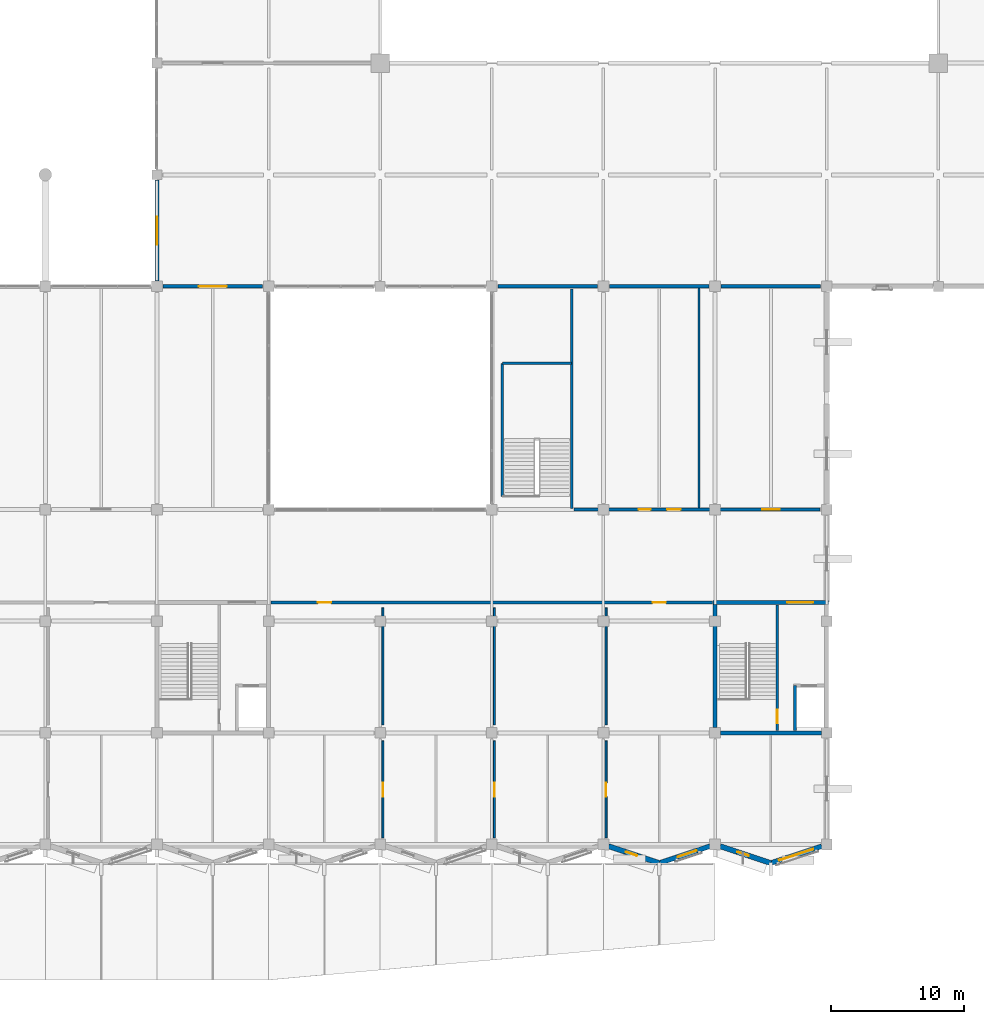
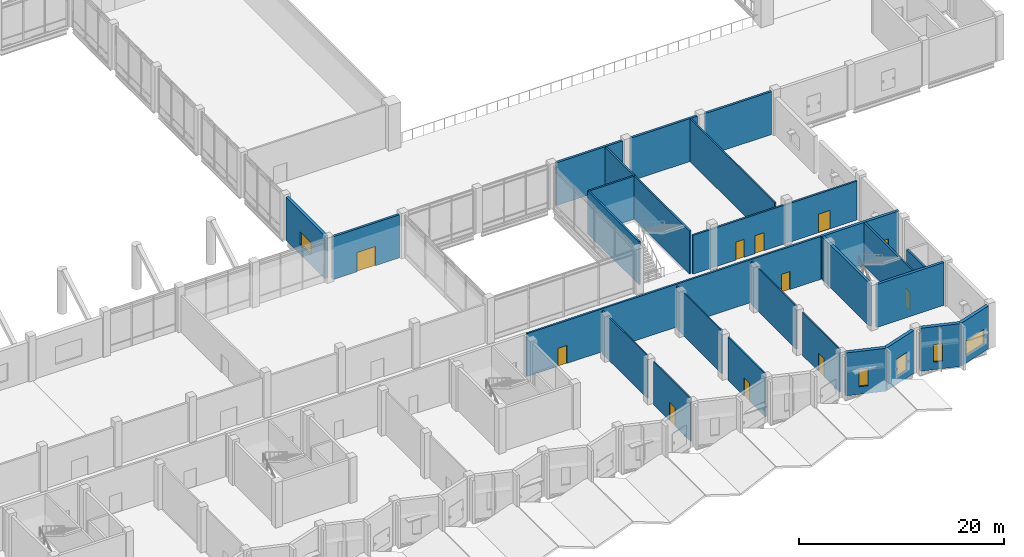
# One storey, part 57 of 72: 26 walls, 11 doors, 5 windows, 16 openings.
"""IFC4 building model written with IfcOpenShell, lengths in metres."""

import ifcopenshell
import ifcopenshell.guid

model = None  # the IFC model being written
_history = None  # IfcOwnerHistory: only IFC2X3 demands one
_inside = {}  # id of a spatial element -> (the spatial element, [elements in it])
_under = {}  # id of a project, library or spatial element -> (it, [spatial elements below it])
_declared = {}  # id of a project -> (the project, [libraries it declares])
_typed = {}  # id of a type object -> (the type object, [elements of that type])
_made_of = {}  # id of a material, layer set ... -> (it, [elements and type objects made of it])


def new_model(schema):
    """Start an empty IFC model of exactly this schema.

    Asked for "IFC4X3", IfcOpenShell would pick the latest addendum, in which some entities
    have other attributes; the version numbers below select the first issue.
    IFC2X3 requires an IfcOwnerHistory on every rooted entity: one is made here for all.
    """
    global model, _history
    if schema == "IFC4X3":
        model = ifcopenshell.file(schema_version=(4, 3, 0, 0))
    else:
        model = ifcopenshell.file(schema=schema)
    _inside.clear()
    _under.clear()
    _declared.clear()
    _typed.clear()
    _made_of.clear()
    _history = None
    if model.schema == "IFC2X3":
        org = make("IfcOrganization", Name="unknown")
        user = make(
            "IfcPersonAndOrganization",
            ThePerson=make("IfcPerson", FamilyName="unknown"),
            TheOrganization=org,
        )
        app = make(
            "IfcApplication",
            ApplicationDeveloper=org,
            Version="unknown",
            ApplicationFullName="unknown",
            ApplicationIdentifier="unknown",
        )
        _history = make(
            "IfcOwnerHistory",
            OwningUser=user,
            OwningApplication=app,
            ChangeAction="ADDED",
            CreationDate=0,
        )
    return model


def make(cls, **values):
    """One entity of the class cls with the attributes given. An attribute that is None is left unset."""
    return model.create_entity(
        cls, **{name: value for name, value in values.items() if value is not None}
    )


def rooted(cls, **values):
    """An entity with a GlobalId (a new one), such as an element, a storey or a relation."""
    return make(cls, GlobalId=ifcopenshell.guid.new(), OwnerHistory=_history, **values)


def si_unit(unit_type, name, prefix=None):
    """IfcSIUnit, for example si_unit("LENGTHUNIT", "METRE", prefix="MILLI")."""
    return make("IfcSIUnit", UnitType=unit_type, Prefix=prefix, Name=name)


def assignment(units):
    """IfcUnitAssignment: the units of a project."""
    return None if units is None else make("IfcUnitAssignment", Units=units)


def point(xyz):
    """IfcCartesianPoint."""
    return None if xyz is None else make("IfcCartesianPoint", Coordinates=xyz)


def direction(xyz):
    """IfcDirection."""
    return None if xyz is None else make("IfcDirection", DirectionRatios=xyz)


def frame(location, z_axis=None, x_axis=None):
    """IfcAxis2Placement3D, a coordinate frame: its origin and axes. An axis left out is left unset."""
    return make(
        "IfcAxis2Placement3D",
        Location=point(location),
        Axis=direction(z_axis),
        RefDirection=direction(x_axis),
    )


def frame_2d(location, x_axis=None):
    """IfcAxis2Placement2D, a coordinate frame in the plane: its origin and x axis."""
    return make(
        "IfcAxis2Placement2D", Location=point(location), RefDirection=direction(x_axis)
    )


def origin():
    """The frame at (0, 0, 0) with its axes left unset."""
    return frame((0.0, 0.0, 0.0))


def place(relative_to, where):
    """IfcLocalPlacement: puts the frame where relative to a parent placement (None: the world)."""
    return make(
        "IfcLocalPlacement", PlacementRelTo=relative_to, RelativePlacement=where
    )


def context(
    kind, dimensions, precision=None, world=None, true_north=None, identifier=None
):
    """IfcGeometricRepresentationContext, for example the 3D "Model" context."""
    return make(
        "IfcGeometricRepresentationContext",
        ContextIdentifier=identifier,
        ContextType=kind,
        CoordinateSpaceDimension=dimensions,
        Precision=precision,
        WorldCoordinateSystem=world,
        TrueNorth=true_north,
    )


def subcontext(parent, identifier, kind, view, scale=None):
    """IfcGeometricRepresentationSubContext, for example "Body" below "Model"."""
    return make(
        "IfcGeometricRepresentationSubContext",
        ContextIdentifier=identifier,
        ContextType=kind,
        ParentContext=parent,
        TargetScale=scale,
        TargetView=view,
    )


def project(units=None, contexts=None):
    """IfcProject with its units and contexts."""
    return rooted(
        "IfcProject",
        Name="project",
        RepresentationContexts=contexts,
        UnitsInContext=assignment(units),
    )


def spatial(cls, under=None, at=None, **own):
    """A site, building, storey or space (cls), placed at a placement, below another one or the project."""
    s = rooted(cls, ObjectPlacement=at, **own)
    if under is not None:
        _under.setdefault(under.id(), (under, []))[1].append(s)
    return s


def profile(cls, at=None, kind="AREA", **sizes):
    """A parametric profile (cls). Its sizes go by their IFC names, for example OverallWidth=200.0."""
    return make(cls, ProfileType=kind, Position=at, **sizes)


def rectangle(**sizes):
    """IfcRectangleProfileDef."""
    return profile("IfcRectangleProfileDef", **sizes)


def extrude(swept, where, along, depth):
    """IfcExtrudedAreaSolid: the profile swept, set in the frame where, extruded along a direction by depth."""
    return make(
        "IfcExtrudedAreaSolid",
        SweptArea=swept,
        Position=where,
        ExtrudedDirection=direction(along),
        Depth=depth,
    )


def shape(context_of_items, identifier, shape_type, items):
    """IfcShapeRepresentation: the items that make up one representation, for example the "Body"."""
    return make(
        "IfcShapeRepresentation",
        ContextOfItems=context_of_items,
        RepresentationIdentifier=identifier,
        RepresentationType=shape_type,
        Items=items,
    )


def material(Name=None, Category=None):
    """IfcMaterial."""
    return make("IfcMaterial", Name=Name, Category=Category)


def layer(
    of_material, thickness, ventilated=None, Name=None, Category=None, Priority=None
):
    """IfcMaterialLayer: one layer of a wall or slab, of a material (None: an air gap)."""
    return make(
        "IfcMaterialLayer",
        Material=of_material,
        LayerThickness=thickness,
        IsVentilated=ventilated,
        Name=Name,
        Category=Category,
        Priority=Priority,
    )


def layer_set(layers, Name=None):
    """IfcMaterialLayerSet."""
    return make("IfcMaterialLayerSet", MaterialLayers=layers, LayerSetName=Name)


def made_of(thing, what):
    """Note that an element or type object is made of a material, layer set ...; save() writes the relation."""
    if what is not None:
        _made_of.setdefault(what.id(), (what, []))[1].append(thing)
    return thing


def type_object(cls, material=None, **own):
    """A type object (cls), such as IfcWallType, which elements share."""
    return made_of(rooted(cls, **own), material)


def element(
    cls,
    number,
    at=None,
    inside=None,
    cuts=None,
    type_object=None,
    material=None,
    context=None,
    identifier="Body",
    shape_type=None,
    held_by="IfcProductDefinitionShape",
    body=None,
    shapes=None,
    **own,
):
    """One element of the class cls, such as IfcWall. Its Tag is "e" and its number.

    at: its placement. inside: the storey or other place that contains it. cuts: it is an
    opening in that element (IfcRelVoidsElement). A single representation is given by context,
    identifier, shape_type and body (its items); several are given by shapes. held_by: the class
    of the entity that holds the representations. save() writes the other relations.
    """
    e = rooted(cls, Tag="e%d" % number, ObjectPlacement=at, **own)
    if body is not None:
        shapes = [shape(context, identifier, shape_type, body)]
    if shapes is not None:
        e.Representation = make(held_by, Representations=shapes)
    if inside is not None:
        _inside.setdefault(inside.id(), (inside, []))[1].append(e)
    if cuts is not None:
        rooted(
            "IfcRelVoidsElement", RelatingBuildingElement=cuts, RelatedOpeningElement=e
        )
    if type_object is not None:
        _typed.setdefault(type_object.id(), (type_object, []))[1].append(e)
    return made_of(e, material)


def fill(opening, filler):
    """IfcRelFillsElement: the door or window that sits in an opening."""
    return rooted(
        "IfcRelFillsElement",
        RelatingOpeningElement=opening,
        RelatedBuildingElement=filler,
    )


def aggregate(whole, parts):
    """IfcRelAggregates: a whole, such as a stair, and the parts it consists of."""
    return rooted("IfcRelAggregates", RelatingObject=whole, RelatedObjects=parts)


def save(model, path):
    """Write the relations noted so far, then the file.

    IfcRelAggregates (storeys below a building ...), IfcRelContainedInSpatialStructure (elements
    in a storey), IfcRelDefinesByType, IfcRelAssociatesMaterial and IfcRelDeclares: one each for
    every whole, place, type object, material and project.
    """
    for whole, parts in _under.values():
        aggregate(whole, parts)
    for where, things in _inside.values():
        rooted(
            "IfcRelContainedInSpatialStructure",
            RelatedElements=things,
            RelatingStructure=where,
        )
    for kind, things in _typed.values():
        rooted("IfcRelDefinesByType", RelatedObjects=things, RelatingType=kind)
    for what, things in _made_of.values():
        rooted("IfcRelAssociatesMaterial", RelatedObjects=things, RelatingMaterial=what)
    for by, libraries in _declared.values():
        rooted("IfcRelDeclares", RelatingContext=by, RelatedDefinitions=libraries)
    model.write(path)


model = new_model("IFC4")

# Units and contexts
model_context = context("Model", 3, precision=1e-05, world=origin(), true_north=direction((0.0, 1.0)))
body_context = subcontext(model_context, "Body", "Model", "MODEL_VIEW")
ifc_project = project(units=[si_unit("LENGTHUNIT", "METRE"), si_unit("AREAUNIT", "SQUARE_METRE"), si_unit("VOLUMEUNIT", "CUBIC_METRE"), si_unit("PLANEANGLEUNIT", "RADIAN"), si_unit("MASSUNIT", "GRAM", prefix="KILO")], contexts=[model_context])

# Site, building, storey
site_placement = place(None, origin())
site = spatial("IfcSite", under=ifc_project, at=site_placement, CompositionType="ELEMENT")
building_placement = place(site_placement, origin())
building = spatial("IfcBuilding", under=site, at=building_placement, Name="Qawsi Khor Wholesale Market", CompositionType="ELEMENT")
storey_placement = place(building_placement, frame((0.0, 0.0, 6.0)))
storey = spatial("IfcBuildingStorey", under=building, at=storey_placement, Name="L01", CompositionType="ELEMENT", Elevation=6.0)

# Walls
ifc_material_1 = material(Name="Concrete C40/50", Category="concrete")
ifc_layer_1 = layer(ifc_material_1, 0.300048828125, Name="Concrete C40/50")
ifc_layer_set_1 = layer_set([ifc_layer_1], Name="Concrete C40/50")
wall_type_1 = type_object("IfcWallType", Name="Core Shear Wall RC 300 C40/50", PredefinedType="SHEAR", material=ifc_layer_set_1)
wall_1_placement = place(storey_placement, frame((192.794921875, 8.39990234375, 0.0), z_axis=(0.0, 0.0, 1.0), x_axis=(-1.0, 0.0, 0.0)))
element("IfcWall", 1, at=wall_1_placement, inside=storey, type_object=wall_type_1, Name="Core C06 south shear wall L01", PredefinedType="SHEAR", context=body_context, shape_type="SweptSolid", body=[
    extrude(rectangle(XDim=7.58984375, YDim=0.300048828125, at=frame_2d((3.794921875, 0.0))), origin(), (0.0, 0.0, 1.0), 5.1201171875),
])
wall_2_placement = place(storey_placement, frame((184.800048828125, 8.804931640625, 0.0), z_axis=(0.0, 0.0, 1.0), x_axis=(0.0, 1.0, 0.0)))
element("IfcWall", 2, at=wall_2_placement, inside=storey, type_object=wall_type_1, Name="Core C06 west shear wall L01", PredefinedType="SHEAR", context=body_context, shape_type="SweptSolid", body=[
    extrude(rectangle(XDim=9.2451171875, YDim=0.300048828125, at=frame_2d((4.62255859375, 0.0))), origin(), (0.0, 0.0, 1.0), 5.1201171875),
])

# Wall, opening, door
wall_3_placement = place(storey_placement, frame((184.64990234375, 18.199951171875, 0.0), z_axis=(0.0, 0.0, 1.0), x_axis=(1.0, 0.0, 0.0)))
wall_3 = element("IfcWall", 3, at=wall_3_placement, inside=storey, type_object=wall_type_1, Name="Core C06 north shear wall L01", PredefinedType="SHEAR", context=body_context, shape_type="SweptSolid", body=[
    extrude(rectangle(XDim=8.7001953125, YDim=0.300048828125, at=frame_2d((4.35009765625, 0.0))), origin(), (0.0, 0.0, 1.0), 5.1201171875),
])
opening_1_placement = place(wall_3_placement, frame((5.570068359375, 0.0, 0.0)))
opening_1 = element("IfcOpeningElement", 4, at=opening_1_placement, cuts=wall_3, Name="Opening ID-01", PredefinedType="OPENING", context=body_context, shape_type="SweptSolid", body=[
    extrude(rectangle(XDim=1.9599609375, YDim=2.199951171875, at=frame_2d((0.97998046875, 1.10009765625))), frame((0.0, 0.159912109375, 0.0), z_axis=(0.0, -1.0, 0.0), x_axis=(1.0, 0.0, 0.0)), (0.0, 0.0, 1.0), 0.320068359375),
])
ifc_material_2 = material(Name="Steel Fire Door", Category="steel")
door_type_1 = type_object("IfcDoorType", Name="Stair & Core Fire Door 1960x2200 FD90S", OperationType="NOTDEFINED", PredefinedType="DOOR", material=ifc_material_2)
door_1_placement = place(opening_1_placement, origin())
door_1 = element("IfcDoor", 5, at=door_1_placement, inside=storey, type_object=door_type_1, Name="Core C06 fire door L01", OperationType="DOUBLE_DOOR_SINGLE_SWING", OverallHeight=2.199951171875, OverallWidth=1.9599609375, PredefinedType="DOOR", context=body_context, shape_type="SweptSolid", body=[
    extrude(rectangle(XDim=1.9599609375, YDim=2.199951171875, at=frame_2d((0.97998046875, 1.10009765625))), frame((0.0, 0.02490234375, 0.0), z_axis=(0.0, -1.0, 0.0), x_axis=(1.0, 0.0, 0.0)), (0.0, 0.0, 1.0), 0.050048828125),
])
fill(opening_1, door_1)

# Wall, openings, doors
ifc_material_3 = material(Name="Gypsum Fireboard on Steel Stud", Category="steel")
ifc_layer_2 = layer(ifc_material_3, 0.2099609375, Name="Gypsum Fireboard on Steel Stud")
ifc_layer_set_2 = layer_set([ifc_layer_2], Name="Gypsum Fireboard on Steel Stud")
wall_type_2 = type_object("IfcWallType", Name="Corridor Fire Partition Wall 210", PredefinedType="PARTITIONING", material=ifc_layer_set_2)
wall_4_placement = place(storey_placement, frame((151.39990234375, 18.199951171875, 0.0), z_axis=(0.0, 0.0, 1.0), x_axis=(1.0, 0.0, 0.0)))
wall_4 = element("IfcWall", 6, at=wall_4_placement, inside=storey, type_object=wall_type_2, Name="PW-L01-058", PredefinedType="PARTITIONING", context=body_context, shape_type="SweptSolid", body=[
    extrude(rectangle(XDim=33.2001953125, YDim=0.2099609375, at=frame_2d((16.60009765625, 0.0))), origin(), (0.0, 0.0, 1.0), 5.1201171875),
])
opening_2_placement = place(wall_4_placement, frame((3.5, 0.0, 0.0)))
opening_2 = element("IfcOpeningElement", 7, at=opening_2_placement, cuts=wall_4, Name="Opening ID-06", PredefinedType="OPENING", context=body_context, shape_type="SweptSolid", body=[
    extrude(rectangle(XDim=1.0, YDim=2.14990234375, at=frame_2d((0.5, 1.074951171875))), frame((0.0, 0.114990234375, 0.0), z_axis=(0.0, -1.0, 0.0), x_axis=(1.0, 0.0, 0.0)), (0.0, 0.0, 1.0), 0.22998046875),
])
opening_3_placement = place(wall_4_placement, frame((28.699951171875, 0.0, 0.0)))
opening_3 = element("IfcOpeningElement", 8, at=opening_3_placement, cuts=wall_4, Name="Opening ID-06", PredefinedType="OPENING", context=body_context, shape_type="SweptSolid", body=[
    extrude(rectangle(XDim=1.0, YDim=2.14990234375, at=frame_2d((0.5, 1.074951171875))), frame((0.0, 0.114990234375, 0.0), z_axis=(0.0, -1.0, 0.0), x_axis=(1.0, 0.0, 0.0)), (0.0, 0.0, 1.0), 0.22998046875),
])
ifc_material_4 = material(Name="Hardwood Timber Veneer", Category="wood")
door_type_2 = type_object("IfcDoorType", Name="Traders Office Single Door 1000x2150", OperationType="NOTDEFINED", PredefinedType="DOOR", material=ifc_material_4)
door_2_placement = place(opening_2_placement, origin())
door_2 = element("IfcDoor", 9, at=door_2_placement, inside=storey, type_object=door_type_2, Name="Traders Office Single Door 1000x2150 L01-062", OperationType="SINGLE_SWING_LEFT", OverallHeight=2.14990234375, OverallWidth=1.0, PredefinedType="DOOR", context=body_context, shape_type="SweptSolid", body=[
    extrude(rectangle(XDim=1.0, YDim=2.14990234375, at=frame_2d((0.5, 1.074951171875))), frame((0.0, 0.02490234375, 0.0), z_axis=(0.0, -1.0, 0.0), x_axis=(1.0, 0.0, 0.0)), (0.0, 0.0, 1.0), 0.050048828125),
])
fill(opening_2, door_2)
door_3_placement = place(opening_3_placement, origin())
door_3 = element("IfcDoor", 10, at=door_3_placement, inside=storey, type_object=door_type_2, Name="Traders Office Single Door 1000x2150 L01-063", OperationType="SINGLE_SWING_RIGHT", OverallHeight=2.14990234375, OverallWidth=1.0, PredefinedType="DOOR", context=body_context, shape_type="SweptSolid", body=[
    extrude(rectangle(XDim=1.0, YDim=2.14990234375, at=frame_2d((0.5, 1.074951171875))), frame((0.0, 0.02490234375, 0.0), z_axis=(0.0, -1.0, 0.0), x_axis=(1.0, 0.0, 0.0)), (0.0, 0.0, 1.0), 0.050048828125),
])
fill(opening_3, door_3)

wall_5_placement = place(storey_placement, frame((174.199951171875, 25.199951171875, 0.0), z_axis=(0.0, 0.0, 1.0), x_axis=(1.0, 0.0, 0.0)))
wall_5 = element("IfcWall", 11, at=wall_5_placement, inside=storey, type_object=wall_type_2, Name="PW-L01-067", PredefinedType="PARTITIONING", context=body_context, shape_type="SweptSolid", body=[
    extrude(rectangle(XDim=18.5, YDim=0.2099609375, at=frame_2d((9.25, 0.0))), origin(), (0.0, 0.0, 1.0), 4.6298828125),
])
opening_4_placement = place(wall_5_placement, frame((4.840087890625, 0.0, 0.0)))
opening_4 = element("IfcOpeningElement", 12, at=opening_4_placement, cuts=wall_5, Name="Opening ID-11", PredefinedType="OPENING", context=body_context, shape_type="SweptSolid", body=[
    extrude(rectangle(XDim=0.919921875, YDim=2.139892578125, at=frame_2d((0.4599609375, 1.06982421875))), frame((0.0, 0.114990234375, 0.0), z_axis=(0.0, -1.0, 0.0), x_axis=(1.0, 0.0, 0.0)), (0.0, 0.0, 1.0), 0.22998046875),
])
opening_5_placement = place(wall_5_placement, frame((6.985107421875, 0.0, 0.0)))
opening_5 = element("IfcOpeningElement", 13, at=opening_5_placement, cuts=wall_5, Name="Opening ID-12", PredefinedType="OPENING", context=body_context, shape_type="SweptSolid", body=[
    extrude(rectangle(XDim=1.030029296875, YDim=2.14990234375, at=frame_2d((0.51513671875, 1.074951171875))), frame((0.0, 0.114990234375, 0.0), z_axis=(0.0, -1.0, 0.0), x_axis=(1.0, 0.0, 0.0)), (0.0, 0.0, 1.0), 0.22998046875),
])
opening_6_placement = place(wall_5_placement, frame((14.139892578125, 0.0, 0.0)))
opening_6 = element("IfcOpeningElement", 14, at=opening_6_placement, cuts=wall_5, Name="Opening ID-13", PredefinedType="OPENING", context=body_context, shape_type="SweptSolid", body=[
    extrude(rectangle(XDim=1.320068359375, YDim=2.199951171875, at=frame_2d((0.66015625, 1.10009765625))), frame((0.0, 0.114990234375, 0.0), z_axis=(0.0, -1.0, 0.0), x_axis=(1.0, 0.0, 0.0)), (0.0, 0.0, 1.0), 0.22998046875),
])
ifc_material_5 = material(Name="High-Pressure Laminate", Category="steel")
door_type_3 = type_object("IfcDoorType", Name="Accessible WC Door 1030x2150", OperationType="NOTDEFINED", PredefinedType="DOOR", material=ifc_material_5)
door_4_placement = place(opening_5_placement, origin())
door_4 = element("IfcDoor", 15, at=door_4_placement, inside=storey, type_object=door_type_3, Name="Accessible WC Door 1030x2150 L01-076", OperationType="SINGLE_SWING_RIGHT", OverallHeight=2.14990234375, OverallWidth=1.030029296875, PredefinedType="DOOR", context=body_context, shape_type="SweptSolid", body=[
    extrude(rectangle(XDim=1.030029296875, YDim=2.14990234375, at=frame_2d((0.51513671875, 1.074951171875))), frame((0.0, 0.02490234375, 0.0), z_axis=(0.0, -1.0, 0.0), x_axis=(1.0, 0.0, 0.0)), (0.0, 0.0, 1.0), 0.050048828125),
])
fill(opening_5, door_4)
ifc_material_6 = material(Name="Galvanised Steel Fire Door", Category="steel")
door_type_4 = type_object("IfcDoorType", Name="Plant & Riser Fire Door 1320x2200 FD90S", OperationType="NOTDEFINED", PredefinedType="DOOR", material=ifc_material_6)
door_5_placement = place(opening_6_placement, origin())
door_5 = element("IfcDoor", 16, at=door_5_placement, inside=storey, type_object=door_type_4, Name="Plant & Riser Fire Door 1320x2200 FD90S L01-077", OperationType="SINGLE_SWING_RIGHT", OverallHeight=2.199951171875, OverallWidth=1.320068359375, PredefinedType="DOOR", context=body_context, shape_type="SweptSolid", body=[
    extrude(rectangle(XDim=1.320068359375, YDim=2.199951171875, at=frame_2d((0.66015625, 1.10009765625))), frame((0.0, 0.02490234375, 0.0), z_axis=(0.0, -1.0, 0.0), x_axis=(1.0, 0.0, 0.0)), (0.0, 0.0, 1.0), 0.050048828125),
])
fill(opening_6, door_5)
door_type_5 = type_object("IfcDoorType", Name="Public Toilet Entrance Door 920x2140", OperationType="NOTDEFINED", PredefinedType="DOOR", material=ifc_material_5)
door_6_placement = place(opening_4_placement, origin())
door_6 = element("IfcDoor", 17, at=door_6_placement, inside=storey, type_object=door_type_5, Name="Public Toilet Entrance Door 920x2140 L01-075", OperationType="SINGLE_SWING_LEFT", OverallHeight=2.139892578125, OverallWidth=0.919921875, PredefinedType="DOOR", context=body_context, shape_type="SweptSolid", body=[
    extrude(rectangle(XDim=0.919921875, YDim=2.139892578125, at=frame_2d((0.4599609375, 1.06982421875))), frame((0.0, 0.02490234375, 0.0), z_axis=(0.0, -1.0, 0.0), x_axis=(1.0, 0.0, 0.0)), (0.0, 0.0, 1.0), 0.050048828125),
])
fill(opening_4, door_6)

# Wall, opening, door
ifc_material_7 = material(Name="Concrete Blockwork & Plaster", Category="masonry")
ifc_layer_3 = layer(ifc_material_7, 0.25, Name="Concrete Blockwork & Plaster")
ifc_layer_set_3 = layer_set([ifc_layer_3], Name="Concrete Blockwork & Plaster")
wall_type_3 = type_object("IfcWallType", Name="Fire Compartment Masonry Wall 250", PredefinedType="SOLIDWALL", material=ifc_layer_set_3)
wall_6_placement = place(storey_placement, frame((143.25, 42.0, 0.0), z_axis=(0.0, 0.0, 1.0), x_axis=(1.0, 0.0, 0.0)))
wall_6 = element("IfcWall", 18, at=wall_6_placement, inside=storey, type_object=wall_type_3, Name="Grid F fire compartment wall L01-17", PredefinedType="SOLIDWALL", context=body_context, shape_type="SweptSolid", body=[
    extrude(rectangle(XDim=7.5, YDim=0.25, at=frame_2d((3.75, 0.0))), origin(), (0.0, 0.0, 1.0), 5.1201171875),
])
opening_7_placement = place(wall_6_placement, frame((2.699951171875, 0.0, 0.0)))
opening_7 = element("IfcOpeningElement", 19, at=opening_7_placement, cuts=wall_6, Name="Opening ID-03", PredefinedType="OPENING", context=body_context, shape_type="SweptSolid", body=[
    extrude(rectangle(XDim=2.10009765625, YDim=2.300048828125, at=frame_2d((1.050048828125, 1.14990234375))), frame((0.0, 0.135009765625, 0.0), z_axis=(0.0, -1.0, 0.0), x_axis=(1.0, 0.0, 0.0)), (0.0, 0.0, 1.0), 0.27001953125),
])
ifc_material_8 = material(Name="Glazed Steel Fire Door", Category="steel")
door_type_6 = type_object("IfcDoorType", Name="Hall Concourse Double Door 2100x2300 FD60S", OperationType="NOTDEFINED", PredefinedType="DOOR", material=ifc_material_8)
door_7_placement = place(opening_7_placement, origin())
door_7 = element("IfcDoor", 20, at=door_7_placement, inside=storey, type_object=door_type_6, Name="Hall concourse compartment door L01-17", OperationType="DOUBLE_DOOR_SINGLE_SWING", OverallHeight=2.300048828125, OverallWidth=2.10009765625, PredefinedType="DOOR", context=body_context, shape_type="SweptSolid", body=[
    extrude(rectangle(XDim=2.10009765625, YDim=2.300048828125, at=frame_2d((1.050048828125, 1.14990234375))), frame((0.0, 0.02490234375, 0.0), z_axis=(0.0, -1.0, 0.0), x_axis=(1.0, 0.0, 0.0)), (0.0, 0.0, 1.0), 0.050048828125),
])
fill(opening_7, door_7)

# Walls
for number, where, z_axis, x_axis, name in (
    (21, (168.449951171875, 42.0, 0.0), (0.0, 0.0, 1.0), (1.0, 0.0, 0.0), "Grid F fire compartment wall L01-20"),
    (22, (176.85009765625, 42.0, 0.0), (0.0, 0.0, 1.0), (1.0, 0.0, 0.0), "Grid F fire compartment wall L01-21"),
    (23, (185.25, 42.0, 0.0), (0.0, 0.0, 1.0), (1.0, 0.0, 0.0), "Grid F fire compartment wall L01-22"),
):
    element("IfcWall", number, at=place(storey_placement, frame(where, z_axis=z_axis, x_axis=x_axis)), inside=storey, type_object=wall_type_3, Name=name, PredefinedType="SOLIDWALL", context=body_context, shape_type="SweptSolid", body=[
        extrude(rectangle(XDim=7.5, YDim=0.25, at=frame_2d((3.75, 0.0))), origin(), (0.0, 0.0, 1.0), 5.1201171875),
    ])

# Wall, opening, window
ifc_layer_4 = layer(ifc_material_1, 0.330078125, Name="Concrete C40/50")
ifc_layer_set_4 = layer_set([ifc_layer_4], Name="Concrete C40/50")
wall_type_4 = type_object("IfcWallType", Name="Fish Hall Precast Insulated Wall 330", PredefinedType="SOLIDWALL", material=ifc_layer_set_4)
wall_7_placement = place(storey_placement, frame((142.800048828125, 42.405029296875, 0.0), z_axis=(0.0, 0.0, 1.0), x_axis=(0.0, 1.0, 0.0)))
wall_7 = element("IfcWall", 24, at=wall_7_placement, inside=storey, type_object=wall_type_4, Name="EW-L01-EHW-05", PredefinedType="SOLIDWALL", context=body_context, shape_type="SweptSolid", body=[
    extrude(rectangle(XDim=7.614990234375, YDim=0.330078125, at=frame_2d((3.8076171875, 0.0))), origin(), (0.0, 0.0, 1.0), 5.1298828125),
])
opening_8_placement = place(wall_7_placement, frame((2.7451171875, 0.0, 1.199951171875)))
opening_8 = element("IfcOpeningElement", 25, at=opening_8_placement, cuts=wall_7, Name="Opening W-07", PredefinedType="OPENING", context=body_context, shape_type="SweptSolid", body=[
    extrude(rectangle(XDim=2.10009765625, YDim=1.449951171875, at=frame_2d((1.050048828125, 0.72509765625))), frame((0.0, 0.175048828125, 0.0), z_axis=(0.0, -1.0, 0.0), x_axis=(1.0, 0.0, 0.0)), (0.0, 0.0, 1.0), 0.35009765625),
])
ifc_material_9 = material(Name="Thermally Broken Aluminium & Low-E Glass", Category="aluminium")
window_type_1 = type_object("IfcWindowType", Name="Win W-07 Laboratory Sealed 2100x1450", PartitioningType="SINGLE_PANEL", PredefinedType="WINDOW", material=ifc_material_9)
window_1_placement = place(opening_8_placement, origin())
window_1 = element("IfcWindow", 26, at=window_1_placement, inside=storey, type_object=window_type_1, Name="Win W-07 Laboratory Sealed 2100x1450 200", OverallHeight=1.449951171875, OverallWidth=2.10009765625, PartitioningType="SINGLE_PANEL", PredefinedType="WINDOW", context=body_context, shape_type="SweptSolid", body=[
    extrude(rectangle(XDim=2.10009765625, YDim=1.449951171875, at=frame_2d((1.050048828125, 0.72509765625))), frame((0.0, 0.030029296875, 0.0), z_axis=(0.0, -1.0, 0.0), x_axis=(1.0, 0.0, 0.0)), (0.0, 0.0, 1.0), 0.06005859375),
])
fill(opening_8, window_1)

# Wall
ifc_layer_5 = layer(ifc_material_1, 0.219970703125, Name="Concrete C40/50")
ifc_layer_set_5 = layer_set([ifc_layer_5], Name="Concrete C40/50")
wall_type_5 = type_object("IfcWallType", Name="Lift & Stair Shaft Wall RC 220", PredefinedType="SOLIDWALL", material=ifc_layer_set_5)
wall_8_placement = place(storey_placement, frame((190.81005859375, 8.56005859375, 0.0), z_axis=(0.0, 0.0, 1.0), x_axis=(0.0, 1.0, 0.0)))
element("IfcWall", 27, at=wall_8_placement, inside=storey, type_object=wall_type_5, Name="Lift PL-04 shaft wall W L01", PredefinedType="SOLIDWALL", context=body_context, shape_type="SweptSolid", body=[
    extrude(rectangle(XDim=3.389892578125, YDim=0.219970703125, at=frame_2d((1.69482421875, 0.0))), origin(), (0.0, 0.0, 1.0), 5.1201171875),
])

# Wall, opening, door
ifc_material_10 = material(Name="Gypsum Board on Metal Stud", Category="gypsum")
ifc_layer_6 = layer(ifc_material_10, 0.14990234375, Name="Gypsum Board on Metal Stud")
ifc_layer_set_6 = layer_set([ifc_layer_6], Name="Gypsum Board on Metal Stud")
wall_type_6 = type_object("IfcWallType", Name="Office Partition Wall 150", PredefinedType="PARTITIONING", material=ifc_layer_set_6)
wall_9_placement = place(storey_placement, frame((159.800048828125, 0.5, 0.0), z_axis=(0.0, 0.0, 1.0), x_axis=(0.0, 1.0, 0.0)))
wall_9 = element("IfcWall", 28, at=wall_9_placement, inside=storey, type_object=wall_type_6, Name="PW-L01-059", PredefinedType="PARTITIONING", context=body_context, shape_type="SweptSolid", body=[
    extrude(rectangle(XDim=7.300048828125, YDim=0.14990234375, at=frame_2d((3.64990234375, 0.0))), origin(), (0.0, 0.0, 1.0), 5.1201171875),
])
opening_9_placement = place(wall_9_placement, frame((3.10009765625, 0.0, 0.0)))
opening_9 = element("IfcOpeningElement", 29, at=opening_9_placement, cuts=wall_9, Name="Opening ID-07", PredefinedType="OPENING", context=body_context, shape_type="SweptSolid", body=[
    extrude(rectangle(XDim=1.06005859375, YDim=2.179931640625, at=frame_2d((0.530029296875, 1.08984375))), frame((0.0, 0.0849609375, 0.0), z_axis=(0.0, -1.0, 0.0), x_axis=(1.0, 0.0, 0.0)), (0.0, 0.0, 1.0), 0.169921875),
])
door_type_7 = type_object("IfcDoorType", Name="Clearinghouse Suite Door 1060x2180", OperationType="NOTDEFINED", PredefinedType="DOOR", material=ifc_material_4)
door_8_placement = place(opening_9_placement, origin())
door_8 = element("IfcDoor", 30, at=door_8_placement, inside=storey, type_object=door_type_7, Name="Clearinghouse Suite Door 1060x2180 L01-064", OperationType="SINGLE_SWING_RIGHT", OverallHeight=2.179931640625, OverallWidth=1.06005859375, PredefinedType="DOOR", context=body_context, shape_type="SweptSolid", body=[
    extrude(rectangle(XDim=1.06005859375, YDim=2.179931640625, at=frame_2d((0.530029296875, 1.08984375))), frame((0.0, 0.02490234375, 0.0), z_axis=(0.0, -1.0, 0.0), x_axis=(1.0, 0.0, 0.0)), (0.0, 0.0, 1.0), 0.050048828125),
])
fill(opening_9, door_8)

# Wall
wall_10_placement = place(storey_placement, frame((159.800048828125, 9.0, 0.0), z_axis=(0.0, 0.0, 1.0), x_axis=(0.0, 1.0, 0.0)))
element("IfcWall", 31, at=wall_10_placement, inside=storey, type_object=wall_type_6, Name="PW-L01-060", PredefinedType="PARTITIONING", context=body_context, shape_type="SweptSolid", body=[
    extrude(rectangle(XDim=8.800048828125, YDim=0.14990234375, at=frame_2d((4.39990234375, 0.0))), origin(), (0.0, 0.0, 1.0), 5.1201171875),
])

# Wall, opening, door
wall_11_placement = place(storey_placement, frame((168.199951171875, 0.5, 0.0), z_axis=(0.0, 0.0, 1.0), x_axis=(0.0, 1.0, 0.0)))
wall_11 = element("IfcWall", 32, at=wall_11_placement, inside=storey, type_object=wall_type_6, Name="PW-L01-061", PredefinedType="PARTITIONING", context=body_context, shape_type="SweptSolid", body=[
    extrude(rectangle(XDim=7.300048828125, YDim=0.14990234375, at=frame_2d((3.64990234375, 0.0))), origin(), (0.0, 0.0, 1.0), 5.1201171875),
])
opening_10_placement = place(wall_11_placement, frame((3.10009765625, 0.0, 0.0)))
opening_10 = element("IfcOpeningElement", 33, at=opening_10_placement, cuts=wall_11, Name="Opening ID-07", PredefinedType="OPENING", context=body_context, shape_type="SweptSolid", body=[
    extrude(rectangle(XDim=1.06005859375, YDim=2.179931640625, at=frame_2d((0.530029296875, 1.08984375))), frame((0.0, 0.0849609375, 0.0), z_axis=(0.0, -1.0, 0.0), x_axis=(1.0, 0.0, 0.0)), (0.0, 0.0, 1.0), 0.169921875),
])
door_9_placement = place(opening_10_placement, origin())
door_9 = element("IfcDoor", 34, at=door_9_placement, inside=storey, type_object=door_type_7, Name="Clearinghouse Suite Door 1060x2180 L01-065", OperationType="SINGLE_SWING_LEFT", OverallHeight=2.179931640625, OverallWidth=1.06005859375, PredefinedType="DOOR", context=body_context, shape_type="SweptSolid", body=[
    extrude(rectangle(XDim=1.06005859375, YDim=2.179931640625, at=frame_2d((0.530029296875, 1.08984375))), frame((0.0, 0.02490234375, 0.0), z_axis=(0.0, -1.0, 0.0), x_axis=(1.0, 0.0, 0.0)), (0.0, 0.0, 1.0), 0.050048828125),
])
fill(opening_10, door_9)

# Wall
wall_12_placement = place(storey_placement, frame((168.199951171875, 9.0, 0.0), z_axis=(0.0, 0.0, 1.0), x_axis=(0.0, 1.0, 0.0)))
element("IfcWall", 35, at=wall_12_placement, inside=storey, type_object=wall_type_6, Name="PW-L01-062", PredefinedType="PARTITIONING", context=body_context, shape_type="SweptSolid", body=[
    extrude(rectangle(XDim=8.800048828125, YDim=0.14990234375, at=frame_2d((4.39990234375, 0.0))), origin(), (0.0, 0.0, 1.0), 5.1201171875),
])

# Wall, opening, door
wall_13_placement = place(storey_placement, frame((176.60009765625, 0.5, 0.0), z_axis=(0.0, 0.0, 1.0), x_axis=(0.0, 1.0, 0.0)))
wall_13 = element("IfcWall", 36, at=wall_13_placement, inside=storey, type_object=wall_type_6, Name="PW-L01-063", PredefinedType="PARTITIONING", context=body_context, shape_type="SweptSolid", body=[
    extrude(rectangle(XDim=7.300048828125, YDim=0.14990234375, at=frame_2d((3.64990234375, 0.0))), origin(), (0.0, 0.0, 1.0), 5.1201171875),
])
opening_11_placement = place(wall_13_placement, frame((3.10009765625, 0.0, 0.0)))
opening_11 = element("IfcOpeningElement", 37, at=opening_11_placement, cuts=wall_13, Name="Opening ID-07", PredefinedType="OPENING", context=body_context, shape_type="SweptSolid", body=[
    extrude(rectangle(XDim=1.06005859375, YDim=2.179931640625, at=frame_2d((0.530029296875, 1.08984375))), frame((0.0, 0.0849609375, 0.0), z_axis=(0.0, -1.0, 0.0), x_axis=(1.0, 0.0, 0.0)), (0.0, 0.0, 1.0), 0.169921875),
])
door_10_placement = place(opening_11_placement, origin())
door_10 = element("IfcDoor", 38, at=door_10_placement, inside=storey, type_object=door_type_7, Name="Clearinghouse Suite Door 1060x2180 L01-066", OperationType="SINGLE_SWING_RIGHT", OverallHeight=2.179931640625, OverallWidth=1.06005859375, PredefinedType="DOOR", context=body_context, shape_type="SweptSolid", body=[
    extrude(rectangle(XDim=1.06005859375, YDim=2.179931640625, at=frame_2d((0.530029296875, 1.08984375))), frame((0.0, 0.02490234375, 0.0), z_axis=(0.0, -1.0, 0.0), x_axis=(1.0, 0.0, 0.0)), (0.0, 0.0, 1.0), 0.050048828125),
])
fill(opening_11, door_10)

# Wall
wall_14_placement = place(storey_placement, frame((176.60009765625, 9.0, 0.0), z_axis=(0.0, 0.0, 1.0), x_axis=(0.0, 1.0, 0.0)))
element("IfcWall", 39, at=wall_14_placement, inside=storey, type_object=wall_type_6, Name="PW-L01-064", PredefinedType="PARTITIONING", context=body_context, shape_type="SweptSolid", body=[
    extrude(rectangle(XDim=8.800048828125, YDim=0.14990234375, at=frame_2d((4.39990234375, 0.0))), origin(), (0.0, 0.0, 1.0), 5.1201171875),
])

# Wall, opening, door
ifc_layer_7 = layer(ifc_material_1, 0.18994140625, Name="Concrete C40/50")
ifc_layer_set_7 = layer_set([ifc_layer_7], Name="Concrete C40/50")
wall_type_7 = type_object("IfcWallType", Name="Stairwell Enclosure Wall RC 190", PredefinedType="SOLIDWALL", material=ifc_layer_set_7)
wall_15_placement = place(storey_placement, frame((189.47998046875, 8.56005859375, 0.0), z_axis=(0.0, 0.0, 1.0), x_axis=(0.0, 1.0, 0.0)))
wall_15 = element("IfcWall", 40, at=wall_15_placement, inside=storey, type_object=wall_type_7, Name="Core C06 stairwell enclosure wall L01", PredefinedType="SOLIDWALL", context=body_context, shape_type="SweptSolid", body=[
    extrude(rectangle(XDim=9.47998046875, YDim=0.18994140625, at=frame_2d((4.739990234375, 0.0))), origin(), (0.0, 0.0, 1.0), 5.1201171875),
])
opening_12_placement = place(wall_15_placement, frame((0.580078125, 0.0, 0.0)))
opening_12 = element("IfcOpeningElement", 41, at=opening_12_placement, cuts=wall_15, Name="Opening ID-17", PredefinedType="OPENING", context=body_context, shape_type="SweptSolid", body=[
    extrude(rectangle(XDim=0.97998046875, YDim=2.14990234375, at=frame_2d((0.489990234375, 1.074951171875))), frame((0.0, 0.10498046875, 0.0), z_axis=(0.0, -1.0, 0.0), x_axis=(1.0, 0.0, 0.0)), (0.0, 0.0, 1.0), 0.2099609375),
])
door_type_8 = type_object("IfcDoorType", Name="Core Stair Lobby Fire Door 980x2150 FD120S", OperationType="NOTDEFINED", PredefinedType="DOOR", material=ifc_material_2)
door_11_placement = place(opening_12_placement, origin())
door_11 = element("IfcDoor", 42, at=door_11_placement, inside=storey, type_object=door_type_8, Name="Core C06 stair enclosure fire door L01", OperationType="SINGLE_SWING_LEFT", OverallHeight=2.14990234375, OverallWidth=0.97998046875, PredefinedType="DOOR", context=body_context, shape_type="SweptSolid", body=[
    extrude(rectangle(XDim=0.97998046875, YDim=2.14990234375, at=frame_2d((0.489990234375, 1.074951171875))), frame((0.0, 0.02490234375, 0.0), z_axis=(0.0, -1.0, 0.0), x_axis=(1.0, 0.0, 0.0)), (0.0, 0.0, 1.0), 0.050048828125),
])
fill(opening_12, door_11)

# Walls
wall_16_placement = place(storey_placement, frame((168.800048828125, 26.199951171875, 0.0), z_axis=(0.0, 0.0, 1.0), x_axis=(0.0, 1.0, 0.0)))
element("IfcWall", 43, at=wall_16_placement, inside=storey, type_object=wall_type_7, Name="Atrium stair enclosure W E L01", PredefinedType="SOLIDWALL", context=body_context, shape_type="SweptSolid", body=[
    extrude(rectangle(XDim=10.0, YDim=0.18994140625, at=frame_2d((5.0, 0.0))), origin(), (0.0, 0.0, 1.0), 5.1201171875),
])
wall_17_placement = place(storey_placement, frame((168.800048828125, 36.199951171875, 0.0), z_axis=(0.0, 0.0, 1.0), x_axis=(1.0, 0.0, 0.0)))
element("IfcWall", 44, at=wall_17_placement, inside=storey, type_object=wall_type_7, Name="Atrium stair enclosure N E L01", PredefinedType="SOLIDWALL", context=body_context, shape_type="SweptSolid", body=[
    extrude(rectangle(XDim=5.199951171875, YDim=0.18994140625, at=frame_2d((2.60009765625, 0.0))), origin(), (0.0, 0.0, 1.0), 5.1201171875),
])
wall_18_placement = place(storey_placement, frame((174.0, 25.300048828125, 0.0), z_axis=(0.0, 0.0, 1.0), x_axis=(0.0, 1.0, 0.0)))
element("IfcWall", 45, at=wall_18_placement, inside=storey, type_object=wall_type_7, Name="Atrium stair enclosure E E L01", PredefinedType="SOLIDWALL", context=body_context, shape_type="SweptSolid", body=[
    extrude(rectangle(XDim=16.489990234375, YDim=0.18994140625, at=frame_2d((8.2451171875, 0.0))), origin(), (0.0, 0.0, 1.0), 5.1201171875),
])

# Wall, opening, window
ifc_layer_8 = layer(ifc_material_1, 0.3701171875, Name="Concrete C40/50")
ifc_layer_set_8 = layer_set([ifc_layer_8], Name="Concrete C40/50")
wall_type_8 = type_object("IfcWallType", Name="Turned-Bay Concrete Facade Wall 370", PredefinedType="SOLIDWALL", material=ifc_layer_set_8)
wall_19_placement = place(storey_placement, frame((184.415771484375, -0.128173828125, 0.0), z_axis=(0.0, 0.0, 1.0), x_axis=(-0.948695437545, -0.316191345203, 0.0)))
wall_19 = element("IfcWall", 46, at=wall_19_placement, inside=storey, type_object=wall_type_8, Name="EW-L01-SBAY-38", PredefinedType="SOLIDWALL", context=body_context, shape_type="SweptSolid", body=[
    extrude(rectangle(XDim=4.02197265625, YDim=0.3701171875, at=frame_2d((2.010986328125, 0.0))), origin(), (0.0, 0.0, 1.0), 5.1201171875),
])
opening_13_placement = place(wall_19_placement, frame((1.05810546875, 0.0, 0.89990234375)))
opening_13 = element("IfcOpeningElement", 47, at=opening_13_placement, cuts=wall_19, Name="Opening W-04", PredefinedType="OPENING", context=body_context, shape_type="SweptSolid", body=[
    extrude(rectangle(XDim=1.5, YDim=2.14990234375, at=frame_2d((0.75, 1.074951171875))), frame((0.0, 0.195068359375, 0.0), z_axis=(0.0, -1.0, 0.0), x_axis=(1.0, 0.0, 0.0)), (0.0, 0.0, 1.0), 0.39013671875),
])
window_type_2 = type_object("IfcWindowType", Name="Win W-04 Turned-Bay Wide 1500x2150", PartitioningType="SINGLE_PANEL", PredefinedType="WINDOW", material=ifc_material_9)
window_2_placement = place(opening_13_placement, origin())
window_2 = element("IfcWindow", 48, at=window_2_placement, inside=storey, type_object=window_type_2, Name="Win W-04 Turned-Bay Wide 1500x2150 038", OverallHeight=2.14990234375, OverallWidth=1.5, PartitioningType="SINGLE_PANEL", PredefinedType="WINDOW", context=body_context, shape_type="SweptSolid", body=[
    extrude(rectangle(XDim=1.5, YDim=2.14990234375, at=frame_2d((0.75, 1.074951171875))), frame((0.0, 0.030029296875, 0.0), z_axis=(0.0, -1.0, 0.0), x_axis=(1.0, 0.0, 0.0)), (0.0, 0.0, 1.0), 0.06005859375),
])
fill(opening_13, window_2)

wall_20_placement = place(storey_placement, frame((192.820556640625, -0.1416015625, 0.0), z_axis=(0.0, 0.0, 1.0), x_axis=(-0.949812179399, -0.312820753571, 0.0)))
wall_20 = element("IfcWall", 49, at=wall_20_placement, inside=storey, type_object=wall_type_8, Name="EW-L01-SBAY-40", PredefinedType="SOLIDWALL", context=body_context, shape_type="SweptSolid", body=[
    extrude(rectangle(XDim=4.0224609375, YDim=0.3701171875, at=frame_2d((2.01123046875, 0.0))), origin(), (0.0, 0.0, 1.0), 5.1201171875),
])
opening_14_placement = place(wall_20_placement, frame((0.6708984375, 0.0, 0.89990234375)))
opening_14 = element("IfcOpeningElement", 50, at=opening_14_placement, cuts=wall_20, Name="Opening W-09", PredefinedType="OPENING", context=body_context, shape_type="SweptSolid", body=[
    extrude(rectangle(XDim=2.699951171875, YDim=1.75, at=frame_2d((1.35009765625, 0.875))), frame((0.0, 0.195068359375, 0.0), z_axis=(0.0, -1.0, 0.0), x_axis=(1.0, 0.0, 0.0)), (0.0, 0.0, 1.0), 0.39013671875),
])
window_type_3 = type_object("IfcWindowType", Name="Win W-09 Clearinghouse Wide 2700x1750", PartitioningType="SINGLE_PANEL", PredefinedType="WINDOW", material=ifc_material_9)
window_3_placement = place(opening_14_placement, origin())
window_3 = element("IfcWindow", 51, at=window_3_placement, inside=storey, type_object=window_type_3, Name="Win W-09 Clearinghouse Wide 2700x1750 040", OverallHeight=1.75, OverallWidth=2.699951171875, PartitioningType="SINGLE_PANEL", PredefinedType="WINDOW", context=body_context, shape_type="SweptSolid", body=[
    extrude(rectangle(XDim=2.699951171875, YDim=1.75, at=frame_2d((1.35009765625, 0.875))), frame((0.0, 0.030029296875, 0.0), z_axis=(0.0, -1.0, 0.0), x_axis=(1.0, 0.0, 0.0)), (0.0, 0.0, 1.0), 0.06005859375),
])
fill(opening_14, window_3)

ifc_layer_9 = layer(ifc_material_1, 0.389892578125, Name="Concrete C40/50")
ifc_layer_set_9 = layer_set([ifc_layer_9], Name="Concrete C40/50")
wall_type_9 = type_object("IfcWallType", Name="Turned-Bay Concrete Facade Wall 390", PredefinedType="SOLIDWALL", material=ifc_layer_set_9)
wall_21_placement = place(storey_placement, frame((180.60009765625, -1.39990234375, 0.0), z_axis=(0.0, 0.0, 1.0), x_axis=(-0.94870150572, 0.316173137767, 0.0)))
wall_21 = element("IfcWall", 52, at=wall_21_placement, inside=storey, type_object=wall_type_9, Name="EW-L01-SBAY-37", PredefinedType="SOLIDWALL", context=body_context, shape_type="SweptSolid", body=[
    extrude(rectangle(XDim=4.022216796875, YDim=0.389892578125, at=frame_2d((2.01123046875, 0.0))), origin(), (0.0, 0.0, 1.0), 5.1201171875),
])
opening_15_placement = place(wall_21_placement, frame((1.762939453125, 0.0, 0.89990234375)))
opening_15 = element("IfcOpeningElement", 53, at=opening_15_placement, cuts=wall_21, Name="Opening W-02", PredefinedType="OPENING", context=body_context, shape_type="SweptSolid", body=[
    extrude(rectangle(XDim=0.89990234375, YDim=2.10009765625, at=frame_2d((0.449951171875, 1.050048828125))), frame((0.0, 0.204833984375, 0.0), z_axis=(0.0, -1.0, 0.0), x_axis=(1.0, 0.0, 0.0)), (0.0, 0.0, 1.0), 0.409912109375),
])
window_type_4 = type_object("IfcWindowType", Name="Win W-02 Deep-Set Narrow 900x2100", PartitioningType="SINGLE_PANEL", PredefinedType="WINDOW", material=ifc_material_9)
window_4_placement = place(opening_15_placement, origin())
window_4 = element("IfcWindow", 54, at=window_4_placement, inside=storey, type_object=window_type_4, Name="Win W-02 Deep-Set Narrow 900x2100 037", OverallHeight=2.10009765625, OverallWidth=0.89990234375, PartitioningType="SINGLE_PANEL", PredefinedType="WINDOW", context=body_context, shape_type="SweptSolid", body=[
    extrude(rectangle(XDim=0.89990234375, YDim=2.10009765625, at=frame_2d((0.449951171875, 1.050048828125))), frame((0.0, 0.030029296875, 0.0), z_axis=(0.0, -1.0, 0.0), x_axis=(1.0, 0.0, 0.0)), (0.0, 0.0, 1.0), 0.06005859375),
])
fill(opening_15, window_4)

wall_22_placement = place(storey_placement, frame((189.0, -1.39990234375, 0.0), z_axis=(0.0, 0.0, 1.0), x_axis=(-0.94870150572, 0.316173137767, 0.0)))
wall_22 = element("IfcWall", 55, at=wall_22_placement, inside=storey, type_object=wall_type_9, Name="EW-L01-SBAY-39", PredefinedType="SOLIDWALL", context=body_context, shape_type="SweptSolid", body=[
    extrude(rectangle(XDim=4.022216796875, YDim=0.389892578125, at=frame_2d((2.01123046875, 0.0))), origin(), (0.0, 0.0, 1.0), 5.1201171875),
])
opening_16_placement = place(wall_22_placement, frame((1.762939453125, 0.0, 0.89990234375)))
opening_16 = element("IfcOpeningElement", 56, at=opening_16_placement, cuts=wall_22, Name="Opening W-02", PredefinedType="OPENING", context=body_context, shape_type="SweptSolid", body=[
    extrude(rectangle(XDim=0.89990234375, YDim=2.10009765625, at=frame_2d((0.449951171875, 1.050048828125))), frame((0.0, 0.204833984375, 0.0), z_axis=(0.0, -1.0, 0.0), x_axis=(1.0, 0.0, 0.0)), (0.0, 0.0, 1.0), 0.409912109375),
])
window_5_placement = place(opening_16_placement, origin())
window_5 = element("IfcWindow", 57, at=window_5_placement, inside=storey, type_object=window_type_4, Name="Win W-02 Deep-Set Narrow 900x2100 039", OverallHeight=2.10009765625, OverallWidth=0.89990234375, PartitioningType="SINGLE_PANEL", PredefinedType="WINDOW", context=body_context, shape_type="SweptSolid", body=[
    extrude(rectangle(XDim=0.89990234375, YDim=2.10009765625, at=frame_2d((0.449951171875, 1.050048828125))), frame((0.0, 0.030029296875, 0.0), z_axis=(0.0, -1.0, 0.0), x_axis=(1.0, 0.0, 0.0)), (0.0, 0.0, 1.0), 0.06005859375),
])
fill(opening_16, window_5)

# Wall
ifc_material_11 = material(Name="Cementitious Tile Backer Board", Category="gypsum")
ifc_layer_10 = layer(ifc_material_11, 0.1650390625, Name="Cementitious Tile Backer Board")
ifc_layer_set_10 = layer_set([ifc_layer_10], Name="Cementitious Tile Backer Board")
wall_type_10 = type_object("IfcWallType", Name="Wet-Area Tile-Backed Partition 165", PredefinedType="PARTITIONING", material=ifc_layer_set_10)
wall_23_placement = place(storey_placement, frame((183.60009765625, 25.304931640625, 0.0), z_axis=(0.0, 0.0, 1.0), x_axis=(0.0, 1.0, 0.0)))
element("IfcWall", 58, at=wall_23_placement, inside=storey, type_object=wall_type_10, Name="PW-L01-069", PredefinedType="PARTITIONING", context=body_context, shape_type="SweptSolid", body=[
    extrude(rectangle(XDim=16.570068359375, YDim=0.1650390625, at=frame_2d((8.28515625, 0.0))), origin(), (0.0, 0.0, 1.0), 5.1201171875),
])

save(model, "model.ifc")
